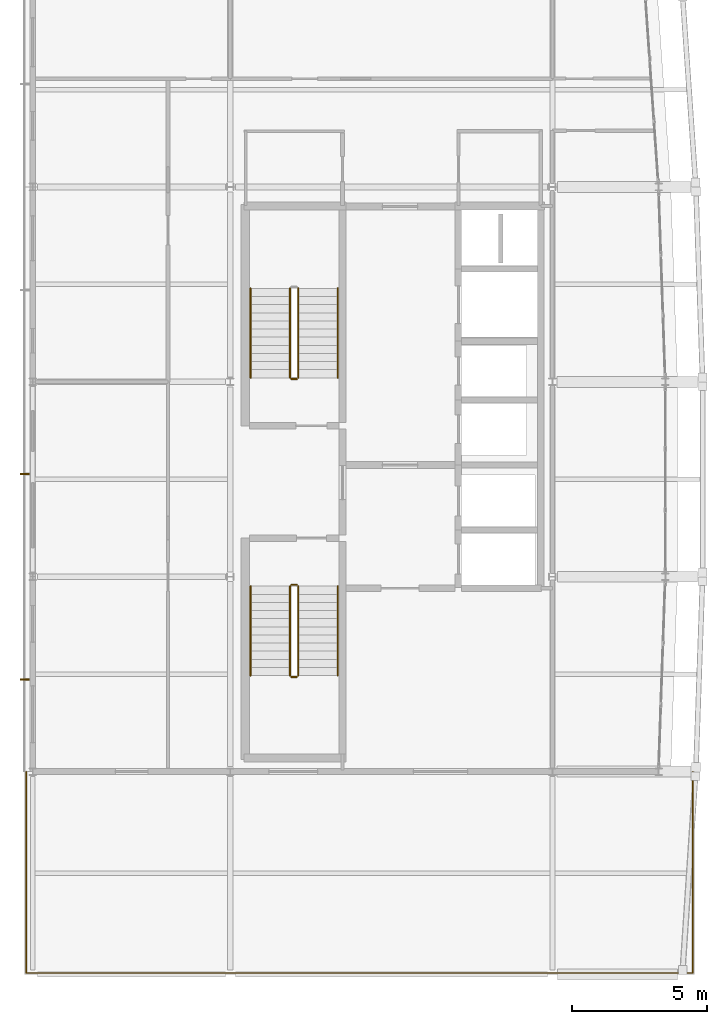
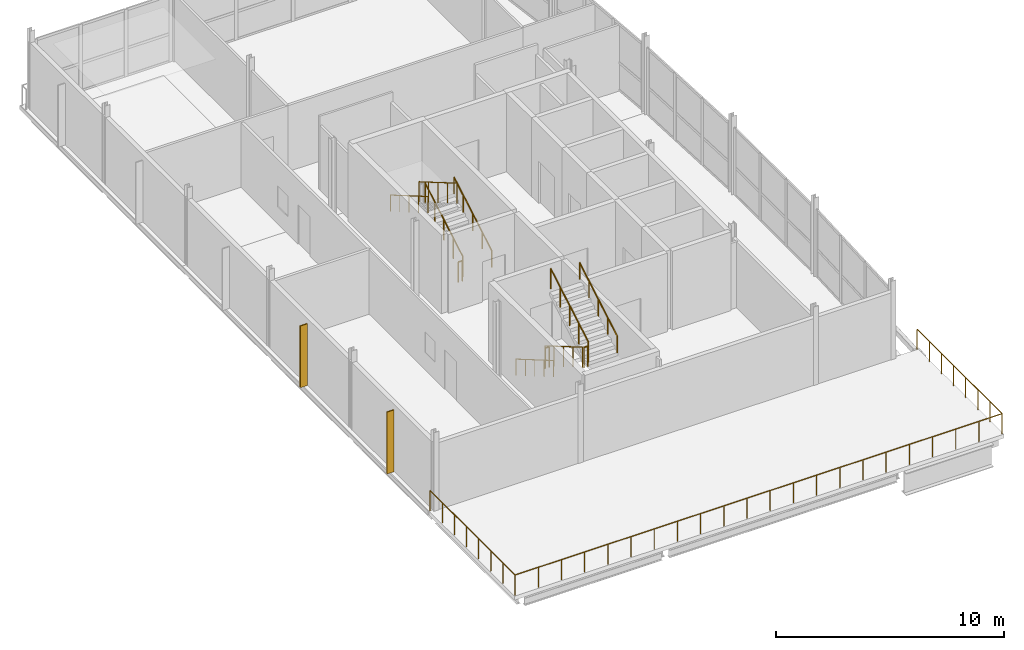
# One storey, part 16 of 17: 12 railings, 2 shading devices.
"""IFC4 building model written with IfcOpenShell, lengths in metres."""

from ifc_helpers import new_model, si_unit, direction, frame, origin, origin_2d, place, context, subcontext, project, spatial, rectangle, circle, extrude, material, type_object, element, save


model = new_model("IFC4")

# Units and contexts
model_context = context("Model", 3, precision=1e-05, world=origin(), true_north=direction((0.0, 1.0)))
body_context = subcontext(model_context, "Body", "Model", "MODEL_VIEW")
ifc_project = project(units=[si_unit("LENGTHUNIT", "METRE"), si_unit("AREAUNIT", "SQUARE_METRE"), si_unit("VOLUMEUNIT", "CUBIC_METRE"), si_unit("PLANEANGLEUNIT", "RADIAN"), si_unit("MASSUNIT", "GRAM", prefix="KILO")], contexts=[model_context])

# Site, building, storey
site_placement = place(None, origin())
site = spatial("IfcSite", under=ifc_project, at=site_placement, CompositionType="ELEMENT")
building_placement = place(site_placement, origin())
building = spatial("IfcBuilding", under=site, at=building_placement, Name="Quillay Park Conservatory", CompositionType="ELEMENT")
storey_placement = place(building_placement, frame((0.0, 0.0, 60.300048828125)))
storey = spatial("IfcBuildingStorey", under=building, at=storey_placement, Name="L14", CompositionType="ELEMENT", Elevation=60.300048828125)

# Railings
ifc_material_1 = material(Name="Steel S355J2H", Category="steel")
railing_type_1 = type_object("IfcRailingType", Name="STAIR WALL HANDRAIL 900", PredefinedType="HANDRAIL", material=ifc_material_1)
railing_1_placement = place(storey_placement, frame((11.820068359375, 92.550048828125, 0.175048828125)))
element("IfcRailing", 1, at=railing_1_placement, inside=storey, type_object=railing_type_1, Name="L14 ST-T1 stair handrail 1", PredefinedType="HANDRAIL", context=body_context, shape_type="SweptSolid", body=[
    extrude(circle(Radius=0.02392578125, at=origin_2d()), frame((0.0, 0.0, 0.8759765625), z_axis=(0.0, 0.863804395585, 0.503827317807), x_axis=(-1.0, 0.0, 0.0)), (0.0, 0.0, 1.0), 3.8203125),
    extrude(circle(Radius=0.02099609375, at=origin_2d()), origin(), (0.0, 0.0, 1.0), 0.851806640625),
    extrude(circle(Radius=0.02099609375, at=origin_2d()), frame((0.0, 0.824951171875, 0.481201171875)), (0.0, 0.0, 1.0), 0.851806640625),
    extrude(circle(Radius=0.02099609375, at=origin_2d()), frame((0.0, 1.64990234375, 0.96240234375)), (0.0, 0.0, 1.0), 0.851806640625),
    extrude(circle(Radius=0.02099609375, at=origin_2d()), frame((0.0, 2.47509765625, 1.443603515625)), (0.0, 0.0, 1.0), 0.851806640625),
    extrude(circle(Radius=0.02099609375, at=origin_2d()), frame((0.0, 3.300048828125, 1.9248046875)), (0.0, 0.0, 1.0), 0.851806640625),
])
railing_2_placement = place(storey_placement, frame((8.60009765625, 95.85009765625, 2.27490234375)))
element("IfcRailing", 2, at=railing_2_placement, inside=storey, type_object=railing_type_1, Name="L14 ST-T1 stair handrail 2", PredefinedType="HANDRAIL", context=body_context, shape_type="SweptSolid", body=[
    extrude(circle(Radius=0.02392578125, at=origin_2d()), frame((0.0, 0.0, 0.8759765625), z_axis=(0.0, -0.863776583165, 0.503874998761), x_axis=(1.0, 0.0, 0.0)), (0.0, 0.0, 1.0), 3.820556640625),
    extrude(circle(Radius=0.02099609375, at=origin_2d()), origin(), (0.0, 0.0, 1.0), 0.851806640625),
    extrude(circle(Radius=0.02099609375, at=origin_2d()), frame((0.0, -0.824951171875, 0.481201171875)), (0.0, 0.0, 1.0), 0.851806640625),
    extrude(circle(Radius=0.02099609375, at=origin_2d()), frame((0.0, -1.64990234375, 0.96240234375)), (0.0, 0.0, 1.0), 0.851806640625),
    extrude(circle(Radius=0.02099609375, at=origin_2d()), frame((0.0, -2.47509765625, 1.44384765625)), (0.0, 0.0, 1.0), 0.851806640625),
    extrude(circle(Radius=0.02099609375, at=origin_2d()), frame((0.0, -3.300048828125, 1.925048828125)), (0.0, 0.0, 1.0), 0.851806640625),
])
railing_3_placement = place(storey_placement, frame((8.60009765625, 84.85009765625, 0.175048828125)))
element("IfcRailing", 3, at=railing_3_placement, inside=storey, type_object=railing_type_1, Name="L14 ST-T2 stair handrail 1", PredefinedType="HANDRAIL", context=body_context, shape_type="SweptSolid", body=[
    extrude(circle(Radius=0.02392578125, at=origin_2d()), frame((0.0, 0.0, 0.8759765625), z_axis=(0.0, -0.863804395585, 0.503827317807), x_axis=(1.0, 0.0, 0.0)), (0.0, 0.0, 1.0), 3.8203125),
    extrude(circle(Radius=0.02099609375, at=origin_2d()), origin(), (0.0, 0.0, 1.0), 0.851806640625),
    extrude(circle(Radius=0.02099609375, at=origin_2d()), frame((0.0, -0.824951171875, 0.481201171875)), (0.0, 0.0, 1.0), 0.851806640625),
    extrude(circle(Radius=0.02099609375, at=origin_2d()), frame((0.0, -1.64990234375, 0.96240234375)), (0.0, 0.0, 1.0), 0.851806640625),
    extrude(circle(Radius=0.02099609375, at=origin_2d()), frame((0.0, -2.47509765625, 1.443603515625)), (0.0, 0.0, 1.0), 0.851806640625),
    extrude(circle(Radius=0.02099609375, at=origin_2d()), frame((0.0, -3.300048828125, 1.9248046875)), (0.0, 0.0, 1.0), 0.851806640625),
])
railing_4_placement = place(storey_placement, frame((11.820068359375, 81.550048828125, 2.27490234375)))
element("IfcRailing", 4, at=railing_4_placement, inside=storey, type_object=railing_type_1, Name="L14 ST-T2 stair handrail 2", PredefinedType="HANDRAIL", context=body_context, shape_type="SweptSolid", body=[
    extrude(circle(Radius=0.02392578125, at=origin_2d()), frame((0.0, 0.0, 0.8759765625), z_axis=(0.0, 0.863776583165, 0.503874998761), x_axis=(-1.0, 0.0, 0.0)), (0.0, 0.0, 1.0), 3.820556640625),
    extrude(circle(Radius=0.02099609375, at=origin_2d()), origin(), (0.0, 0.0, 1.0), 0.851806640625),
    extrude(circle(Radius=0.02099609375, at=origin_2d()), frame((0.0, 0.824951171875, 0.481201171875)), (0.0, 0.0, 1.0), 0.851806640625),
    extrude(circle(Radius=0.02099609375, at=origin_2d()), frame((0.0, 1.64990234375, 0.96240234375)), (0.0, 0.0, 1.0), 0.851806640625),
    extrude(circle(Radius=0.02099609375, at=origin_2d()), frame((0.0, 2.47509765625, 1.44384765625)), (0.0, 0.0, 1.0), 0.851806640625),
    extrude(circle(Radius=0.02099609375, at=origin_2d()), frame((0.0, 3.300048828125, 1.925048828125)), (0.0, 0.0, 1.0), 0.851806640625),
])
ifc_material_2 = material(Name="Steel S355J2H", Category="steel")
railing_type_2 = type_object("IfcRailingType", Name="STAIR WELL GUARDRAIL 1100", PredefinedType="GUARDRAIL", material=ifc_material_2)
railing_5_placement = place(storey_placement, frame((10.360107421875, 92.550048828125, 0.175048828125)))
element("IfcRailing", 5, at=railing_5_placement, inside=storey, type_object=railing_type_2, Name="L14 ST-T1 stair guard 1", PredefinedType="GUARDRAIL", context=body_context, shape_type="SweptSolid", body=[
    extrude(circle(Radius=0.02392578125, at=origin_2d()), frame((0.0, 0.0, 1.076171875), z_axis=(0.0, 0.863804395585, 0.503827317807), x_axis=(-1.0, 0.0, 0.0)), (0.0, 0.0, 1.0), 3.8203125),
    extrude(circle(Radius=0.02099609375, at=origin_2d()), origin(), (0.0, 0.0, 1.0), 1.052001953125),
    extrude(circle(Radius=0.02099609375, at=origin_2d()), frame((0.0, 0.824951171875, 0.481201171875)), (0.0, 0.0, 1.0), 1.052001953125),
    extrude(circle(Radius=0.02099609375, at=origin_2d()), frame((0.0, 1.64990234375, 0.96240234375)), (0.0, 0.0, 1.0), 1.052001953125),
    extrude(circle(Radius=0.02099609375, at=origin_2d()), frame((0.0, 2.47509765625, 1.443603515625)), (0.0, 0.0, 1.0), 1.052001953125),
    extrude(circle(Radius=0.02099609375, at=origin_2d()), frame((0.0, 3.300048828125, 1.9248046875)), (0.0, 0.0, 1.0), 1.052001953125),
])
railing_6_placement = place(storey_placement, frame((10.06005859375, 95.85009765625, 2.27490234375)))
element("IfcRailing", 6, at=railing_6_placement, inside=storey, type_object=railing_type_2, Name="L14 ST-T1 stair guard 3", PredefinedType="GUARDRAIL", context=body_context, shape_type="SweptSolid", body=[
    extrude(circle(Radius=0.02392578125, at=origin_2d()), frame((0.0, 0.0, 1.076171875), z_axis=(0.0, -0.863776583165, 0.503874998761), x_axis=(1.0, 0.0, 0.0)), (0.0, 0.0, 1.0), 3.820556640625),
    extrude(circle(Radius=0.02099609375, at=origin_2d()), origin(), (0.0, 0.0, 1.0), 1.052001953125),
    extrude(circle(Radius=0.02099609375, at=origin_2d()), frame((0.0, -0.824951171875, 0.481201171875)), (0.0, 0.0, 1.0), 1.052001953125),
    extrude(circle(Radius=0.02099609375, at=origin_2d()), frame((0.0, -1.64990234375, 0.96240234375)), (0.0, 0.0, 1.0), 1.052001953125),
    extrude(circle(Radius=0.02099609375, at=origin_2d()), frame((0.0, -2.47509765625, 1.44384765625)), (0.0, 0.0, 1.0), 1.052001953125),
    extrude(circle(Radius=0.02099609375, at=origin_2d()), frame((0.0, -3.300048828125, 1.925048828125)), (0.0, 0.0, 1.0), 1.052001953125),
])
railing_7_placement = place(storey_placement, frame((10.31005859375, 92.5, 0.0)))
element("IfcRailing", 7, at=railing_7_placement, inside=storey, type_object=railing_type_2, Name="L14 ST-T1 stair guard 4", PredefinedType="GUARDRAIL", context=body_context, shape_type="SweptSolid", body=[
    extrude(circle(Radius=0.02392578125, at=origin_2d()), frame((0.0, 0.0, 1.076171875), z_axis=(-1.0, 0.0, 0.0), x_axis=(0.0, -1.0, 0.0)), (0.0, 0.0, 1.0), 0.199951171875),
    extrude(circle(Radius=0.02099609375, at=origin_2d()), origin(), (0.0, 0.0, 1.0), 1.052001953125),
    extrude(circle(Radius=0.02099609375, at=origin_2d()), frame((-0.199951171875, 0.0, 0.0)), (0.0, 0.0, 1.0), 1.052001953125),
])
railing_8_placement = place(storey_placement, frame((10.06005859375, 84.85009765625, 0.175048828125)))
element("IfcRailing", 8, at=railing_8_placement, inside=storey, type_object=railing_type_2, Name="L14 ST-T2 stair guard 1", PredefinedType="GUARDRAIL", context=body_context, shape_type="SweptSolid", body=[
    extrude(circle(Radius=0.02392578125, at=origin_2d()), frame((0.0, 0.0, 1.076171875), z_axis=(0.0, -0.863804395585, 0.503827317807), x_axis=(1.0, 0.0, 0.0)), (0.0, 0.0, 1.0), 3.8203125),
    extrude(circle(Radius=0.02099609375, at=origin_2d()), origin(), (0.0, 0.0, 1.0), 1.052001953125),
    extrude(circle(Radius=0.02099609375, at=origin_2d()), frame((0.0, -0.824951171875, 0.481201171875)), (0.0, 0.0, 1.0), 1.052001953125),
    extrude(circle(Radius=0.02099609375, at=origin_2d()), frame((0.0, -1.64990234375, 0.96240234375)), (0.0, 0.0, 1.0), 1.052001953125),
    extrude(circle(Radius=0.02099609375, at=origin_2d()), frame((0.0, -2.47509765625, 1.443603515625)), (0.0, 0.0, 1.0), 1.052001953125),
    extrude(circle(Radius=0.02099609375, at=origin_2d()), frame((0.0, -3.300048828125, 1.9248046875)), (0.0, 0.0, 1.0), 1.052001953125),
])
railing_9_placement = place(storey_placement, frame((10.110107421875, 81.5, 2.099853515625)))
element("IfcRailing", 9, at=railing_9_placement, inside=storey, type_object=railing_type_2, Name="L14 ST-T2 stair guard 2", PredefinedType="GUARDRAIL", context=body_context, shape_type="SweptSolid", body=[
    extrude(circle(Radius=0.02392578125, at=origin_2d()), frame((0.0, 0.0, 1.076171875), z_axis=(1.0, 0.0, 0.0), x_axis=(0.0, 1.0, 0.0)), (0.0, 0.0, 1.0), 0.199951171875),
    extrude(circle(Radius=0.02099609375, at=origin_2d()), origin(), (0.0, 0.0, 1.0), 1.052001953125),
    extrude(circle(Radius=0.02099609375, at=origin_2d()), frame((0.199951171875, 0.0, 0.0)), (0.0, 0.0, 1.0), 1.052001953125),
])
railing_10_placement = place(storey_placement, frame((10.360107421875, 81.550048828125, 2.27490234375)))
element("IfcRailing", 10, at=railing_10_placement, inside=storey, type_object=railing_type_2, Name="L14 ST-T2 stair guard 3", PredefinedType="GUARDRAIL", context=body_context, shape_type="SweptSolid", body=[
    extrude(circle(Radius=0.02392578125, at=origin_2d()), frame((0.0, 0.0, 1.076171875), z_axis=(0.0, 0.863776583165, 0.503874998761), x_axis=(-1.0, 0.0, 0.0)), (0.0, 0.0, 1.0), 3.820556640625),
    extrude(circle(Radius=0.02099609375, at=origin_2d()), origin(), (0.0, 0.0, 1.0), 1.052001953125),
    extrude(circle(Radius=0.02099609375, at=origin_2d()), frame((0.0, 0.824951171875, 0.481201171875)), (0.0, 0.0, 1.0), 1.052001953125),
    extrude(circle(Radius=0.02099609375, at=origin_2d()), frame((0.0, 1.64990234375, 0.96240234375)), (0.0, 0.0, 1.0), 1.052001953125),
    extrude(circle(Radius=0.02099609375, at=origin_2d()), frame((0.0, 2.47509765625, 1.44384765625)), (0.0, 0.0, 1.0), 1.052001953125),
    extrude(circle(Radius=0.02099609375, at=origin_2d()), frame((0.0, 3.300048828125, 1.925048828125)), (0.0, 0.0, 1.0), 1.052001953125),
])
railing_11_placement = place(storey_placement, frame((10.110107421875, 84.89990234375, 0.0)))
element("IfcRailing", 11, at=railing_11_placement, inside=storey, type_object=railing_type_2, Name="L14 ST-T2 stair guard 4", PredefinedType="GUARDRAIL", context=body_context, shape_type="SweptSolid", body=[
    extrude(circle(Radius=0.02392578125, at=origin_2d()), frame((0.0, 0.0, 1.076171875), z_axis=(1.0, 0.0, 0.0), x_axis=(0.0, 1.0, 0.0)), (0.0, 0.0, 1.0), 0.199951171875),
    extrude(circle(Radius=0.02099609375, at=origin_2d()), origin(), (0.0, 0.0, 1.0), 1.052001953125),
    extrude(circle(Radius=0.02099609375, at=origin_2d()), frame((0.199951171875, 0.0, 0.0)), (0.0, 0.0, 1.0), 1.052001953125),
])
ifc_material_3 = material(Name="Steel S355J2H", Category="steel")
railing_type_3 = type_object("IfcRailingType", Name="TERRACE PERIMETER GUARDRAIL 1100", PredefinedType="GUARDRAIL", material=ifc_material_3)
railing_12_placement = place(storey_placement, frame((0.31005859375, 78.0, 0.0)))
element("IfcRailing", 12, at=railing_12_placement, inside=storey, type_object=railing_type_3, Name="L14 Perimeter Safety Guardrail 005", PredefinedType="GUARDRAIL", context=body_context, shape_type="SweptSolid", body=[
    extrude(circle(Radius=0.02392578125, at=origin_2d()), frame((0.0, 0.0, 1.076171875), z_axis=(0.0, -1.0, 0.0), x_axis=(1.0, 0.0, 0.0)), (0.0, 0.0, 1.0), 7.43994140625),
    extrude(circle(Radius=0.02392578125, at=origin_2d()), frame((0.0, -7.43994140625, 1.076171875), z_axis=(1.0, 0.0, 0.0), x_axis=(0.0, 1.0, 0.0)), (0.0, 0.0, 1.0), 24.6298828125),
    extrude(circle(Radius=0.02392578125, at=origin_2d()), frame((24.6298828125, -7.43994140625, 1.076171875), z_axis=(0.0, 1.0, 0.0), x_axis=(-1.0, 0.0, 0.0)), (0.0, 0.0, 1.0), 7.43994140625),
    extrude(circle(Radius=0.02099609375, at=origin_2d()), origin(), (0.0, 0.0, 1.0), 1.052001953125),
    extrude(circle(Radius=0.02099609375, at=origin_2d()), frame((0.0, -1.062744140625, 0.0)), (0.0, 0.0, 1.0), 1.052001953125),
    extrude(circle(Radius=0.02099609375, at=origin_2d()), frame((0.0, -2.125732421875, 0.0)), (0.0, 0.0, 1.0), 1.052001953125),
    extrude(circle(Radius=0.02099609375, at=origin_2d()), frame((0.0, -3.1884765625, 0.0)), (0.0, 0.0, 1.0), 1.052001953125),
    extrude(circle(Radius=0.02099609375, at=origin_2d()), frame((0.0, -4.25146484375, 0.0)), (0.0, 0.0, 1.0), 1.052001953125),
    extrude(circle(Radius=0.02099609375, at=origin_2d()), frame((0.0, -5.314208984375, 0.0)), (0.0, 0.0, 1.0), 1.052001953125),
    extrude(circle(Radius=0.02099609375, at=origin_2d()), frame((0.0, -6.377197265625, 0.0)), (0.0, 0.0, 1.0), 1.052001953125),
    extrude(circle(Radius=0.02099609375, at=origin_2d()), frame((0.0, -7.43994140625, 0.0)), (0.0, 0.0, 1.0), 1.052001953125),
    extrude(circle(Radius=0.02099609375, at=origin_2d()), frame((1.1728515625, -7.43994140625, 0.0)), (0.0, 0.0, 1.0), 1.052001953125),
    extrude(circle(Radius=0.02099609375, at=origin_2d()), frame((2.345703125, -7.43994140625, 0.0)), (0.0, 0.0, 1.0), 1.052001953125),
    extrude(circle(Radius=0.02099609375, at=origin_2d()), frame((3.5185546875, -7.43994140625, 0.0)), (0.0, 0.0, 1.0), 1.052001953125),
    extrude(circle(Radius=0.02099609375, at=origin_2d()), frame((4.69140625, -7.43994140625, 0.0)), (0.0, 0.0, 1.0), 1.052001953125),
    extrude(circle(Radius=0.02099609375, at=origin_2d()), frame((5.8642578125, -7.43994140625, 0.0)), (0.0, 0.0, 1.0), 1.052001953125),
    extrude(circle(Radius=0.02099609375, at=origin_2d()), frame((7.037109375, -7.43994140625, 0.0)), (0.0, 0.0, 1.0), 1.052001953125),
    extrude(circle(Radius=0.02099609375, at=origin_2d()), frame((8.2099609375, -7.43994140625, 0.0)), (0.0, 0.0, 1.0), 1.052001953125),
    extrude(circle(Radius=0.02099609375, at=origin_2d()), frame((9.3828125, -7.43994140625, 0.0)), (0.0, 0.0, 1.0), 1.052001953125),
    extrude(circle(Radius=0.02099609375, at=origin_2d()), frame((10.5556640625, -7.43994140625, 0.0)), (0.0, 0.0, 1.0), 1.052001953125),
    extrude(circle(Radius=0.02099609375, at=origin_2d()), frame((11.728515625, -7.43994140625, 0.0)), (0.0, 0.0, 1.0), 1.052001953125),
    extrude(circle(Radius=0.02099609375, at=origin_2d()), frame((12.9013671875, -7.43994140625, 0.0)), (0.0, 0.0, 1.0), 1.052001953125),
    extrude(circle(Radius=0.02099609375, at=origin_2d()), frame((14.07421875, -7.43994140625, 0.0)), (0.0, 0.0, 1.0), 1.052001953125),
    extrude(circle(Radius=0.02099609375, at=origin_2d()), frame((15.2470703125, -7.43994140625, 0.0)), (0.0, 0.0, 1.0), 1.052001953125),
    extrude(circle(Radius=0.02099609375, at=origin_2d()), frame((16.419921875, -7.43994140625, 0.0)), (0.0, 0.0, 1.0), 1.052001953125),
    extrude(circle(Radius=0.02099609375, at=origin_2d()), frame((17.5927734375, -7.43994140625, 0.0)), (0.0, 0.0, 1.0), 1.052001953125),
    extrude(circle(Radius=0.02099609375, at=origin_2d()), frame((18.765625, -7.43994140625, 0.0)), (0.0, 0.0, 1.0), 1.052001953125),
    extrude(circle(Radius=0.02099609375, at=origin_2d()), frame((19.9384765625, -7.43994140625, 0.0)), (0.0, 0.0, 1.0), 1.052001953125),
    extrude(circle(Radius=0.02099609375, at=origin_2d()), frame((21.111328125, -7.43994140625, 0.0)), (0.0, 0.0, 1.0), 1.052001953125),
    extrude(circle(Radius=0.02099609375, at=origin_2d()), frame((22.2841796875, -7.43994140625, 0.0)), (0.0, 0.0, 1.0), 1.052001953125),
    extrude(circle(Radius=0.02099609375, at=origin_2d()), frame((23.45703125, -7.43994140625, 0.0)), (0.0, 0.0, 1.0), 1.052001953125),
    extrude(circle(Radius=0.02099609375, at=origin_2d()), frame((24.6298828125, -7.43994140625, 0.0)), (0.0, 0.0, 1.0), 1.052001953125),
    extrude(circle(Radius=0.02099609375, at=origin_2d()), frame((24.6298828125, -6.377197265625, 0.0)), (0.0, 0.0, 1.0), 1.052001953125),
    extrude(circle(Radius=0.02099609375, at=origin_2d()), frame((24.6298828125, -5.314208984375, 0.0)), (0.0, 0.0, 1.0), 1.052001953125),
    extrude(circle(Radius=0.02099609375, at=origin_2d()), frame((24.6298828125, -4.25146484375, 0.0)), (0.0, 0.0, 1.0), 1.052001953125),
    extrude(circle(Radius=0.02099609375, at=origin_2d()), frame((24.6298828125, -3.1884765625, 0.0)), (0.0, 0.0, 1.0), 1.052001953125),
    extrude(circle(Radius=0.02099609375, at=origin_2d()), frame((24.6298828125, -2.125732421875, 0.0)), (0.0, 0.0, 1.0), 1.052001953125),
    extrude(circle(Radius=0.02099609375, at=origin_2d()), frame((24.6298828125, -1.062744140625, 0.0)), (0.0, 0.0, 1.0), 1.052001953125),
    extrude(circle(Radius=0.02099609375, at=origin_2d()), frame((24.6298828125, 0.0, 0.0)), (0.0, 0.0, 1.0), 1.052001953125),
])

# Shading devices
ifc_material_4 = material(Name="Perforated Copper-Bronze Anodised Aluminium", Category="aluminium")
shading_device_type = type_object("IfcShadingDeviceType", Name="COPPER BRONZE SOLAR FIN", PredefinedType="USERDEFINED", material=ifc_material_4)
for number, where, z_axis, x_axis, name in (
    (13, (0.2548828125, 81.39990234375, 0.0), (0.0, 0.0, 1.0), (1.0, 0.0, 0.0), "L14 Perforated Copper-Bronze Solar Fin 051"),
    (14, (0.2548828125, 89.0, 0.0), (0.0, 0.0, 1.0), (1.0, 0.0, 0.0), "L14 Perforated Copper-Bronze Solar Fin 052"),
):
    element("IfcShadingDevice", number, at=place(storey_placement, frame(where, z_axis=z_axis, x_axis=x_axis)), inside=storey, type_object=shading_device_type, Name=name, ObjectType="SOLAR FIN", PredefinedType="USERDEFINED", context=body_context, shape_type="SweptSolid", body=[
        extrude(rectangle(XDim=0.35009765625, YDim=0.054931640625, at=origin_2d()), origin(), (0.0, 0.0, 1.0), 3.300048828125),
    ])

save(model, "model.ifc")
